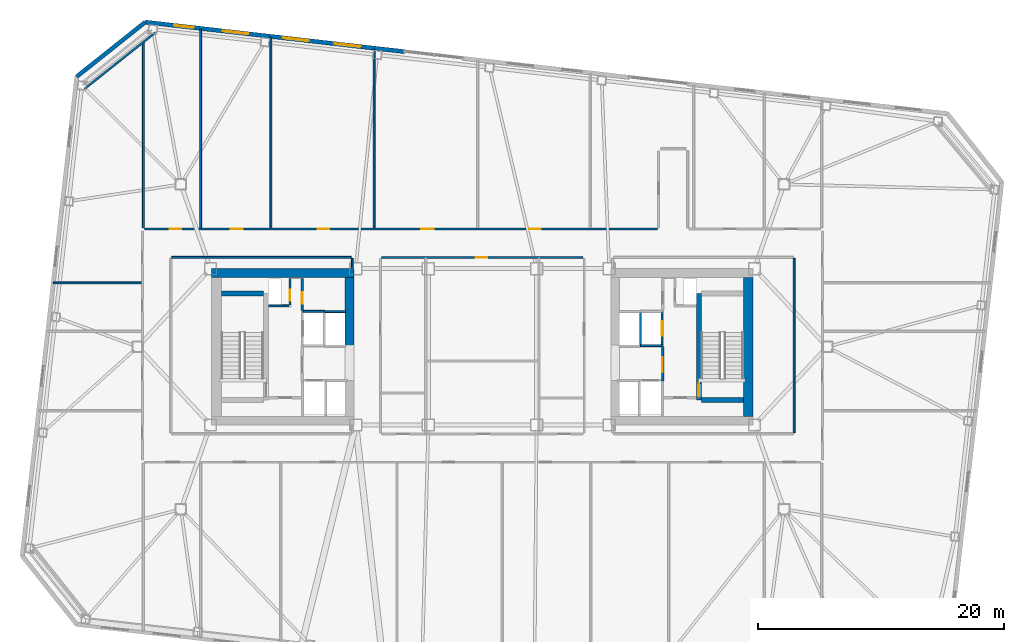
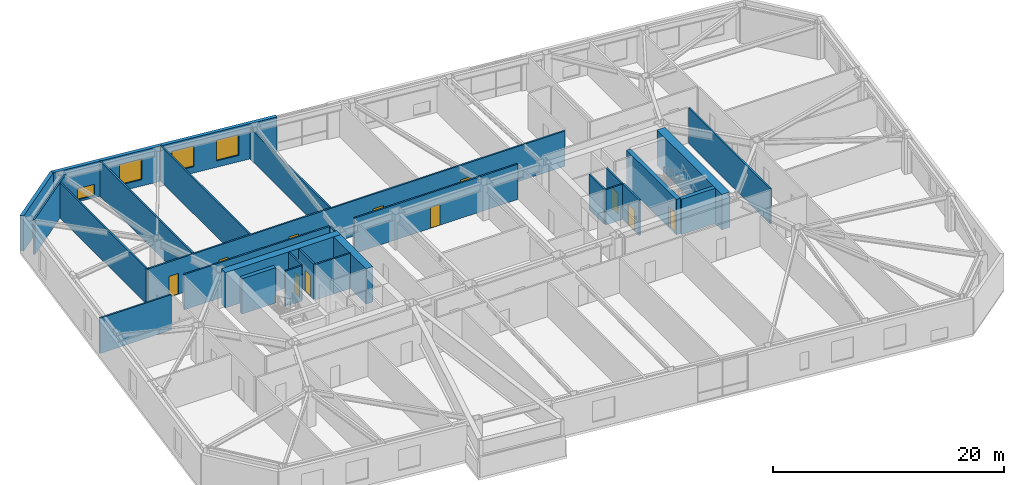
# One storey, part 12 of 19: 28 walls, 11 doors, 4 windows, 15 openings.
"""IFC4 building model written with IfcOpenShell, lengths in metres."""

import ifcopenshell
import ifcopenshell.guid

model = None  # the IFC model being written
_history = None  # IfcOwnerHistory: only IFC2X3 demands one
_inside = {}  # id of a spatial element -> (the spatial element, [elements in it])
_under = {}  # id of a project, library or spatial element -> (it, [spatial elements below it])
_declared = {}  # id of a project -> (the project, [libraries it declares])
_typed = {}  # id of a type object -> (the type object, [elements of that type])
_made_of = {}  # id of a material, layer set ... -> (it, [elements and type objects made of it])


def new_model(schema):
    """Start an empty IFC model of exactly this schema.

    Asked for "IFC4X3", IfcOpenShell would pick the latest addendum, in which some entities
    have other attributes; the version numbers below select the first issue.
    IFC2X3 requires an IfcOwnerHistory on every rooted entity: one is made here for all.
    """
    global model, _history
    if schema == "IFC4X3":
        model = ifcopenshell.file(schema_version=(4, 3, 0, 0))
    else:
        model = ifcopenshell.file(schema=schema)
    _inside.clear()
    _under.clear()
    _declared.clear()
    _typed.clear()
    _made_of.clear()
    _history = None
    if model.schema == "IFC2X3":
        org = make("IfcOrganization", Name="unknown")
        user = make(
            "IfcPersonAndOrganization",
            ThePerson=make("IfcPerson", FamilyName="unknown"),
            TheOrganization=org,
        )
        app = make(
            "IfcApplication",
            ApplicationDeveloper=org,
            Version="unknown",
            ApplicationFullName="unknown",
            ApplicationIdentifier="unknown",
        )
        _history = make(
            "IfcOwnerHistory",
            OwningUser=user,
            OwningApplication=app,
            ChangeAction="ADDED",
            CreationDate=0,
        )
    return model


def make(cls, **values):
    """One entity of the class cls with the attributes given. An attribute that is None is left unset."""
    return model.create_entity(
        cls, **{name: value for name, value in values.items() if value is not None}
    )


def rooted(cls, **values):
    """An entity with a GlobalId (a new one), such as an element, a storey or a relation."""
    return make(cls, GlobalId=ifcopenshell.guid.new(), OwnerHistory=_history, **values)


def si_unit(unit_type, name, prefix=None):
    """IfcSIUnit, for example si_unit("LENGTHUNIT", "METRE", prefix="MILLI")."""
    return make("IfcSIUnit", UnitType=unit_type, Prefix=prefix, Name=name)


def assignment(units):
    """IfcUnitAssignment: the units of a project."""
    return None if units is None else make("IfcUnitAssignment", Units=units)


def point(xyz):
    """IfcCartesianPoint."""
    return None if xyz is None else make("IfcCartesianPoint", Coordinates=xyz)


def direction(xyz):
    """IfcDirection."""
    return None if xyz is None else make("IfcDirection", DirectionRatios=xyz)


def frame(location, z_axis=None, x_axis=None):
    """IfcAxis2Placement3D, a coordinate frame: its origin and axes. An axis left out is left unset."""
    return make(
        "IfcAxis2Placement3D",
        Location=point(location),
        Axis=direction(z_axis),
        RefDirection=direction(x_axis),
    )


def frame_2d(location, x_axis=None):
    """IfcAxis2Placement2D, a coordinate frame in the plane: its origin and x axis."""
    return make(
        "IfcAxis2Placement2D", Location=point(location), RefDirection=direction(x_axis)
    )


def origin():
    """The frame at (0, 0, 0) with its axes left unset."""
    return frame((0.0, 0.0, 0.0))


def place(relative_to, where):
    """IfcLocalPlacement: puts the frame where relative to a parent placement (None: the world)."""
    return make(
        "IfcLocalPlacement", PlacementRelTo=relative_to, RelativePlacement=where
    )


def context(
    kind, dimensions, precision=None, world=None, true_north=None, identifier=None
):
    """IfcGeometricRepresentationContext, for example the 3D "Model" context."""
    return make(
        "IfcGeometricRepresentationContext",
        ContextIdentifier=identifier,
        ContextType=kind,
        CoordinateSpaceDimension=dimensions,
        Precision=precision,
        WorldCoordinateSystem=world,
        TrueNorth=true_north,
    )


def subcontext(parent, identifier, kind, view, scale=None):
    """IfcGeometricRepresentationSubContext, for example "Body" below "Model"."""
    return make(
        "IfcGeometricRepresentationSubContext",
        ContextIdentifier=identifier,
        ContextType=kind,
        ParentContext=parent,
        TargetScale=scale,
        TargetView=view,
    )


def project(units=None, contexts=None):
    """IfcProject with its units and contexts."""
    return rooted(
        "IfcProject",
        Name="project",
        RepresentationContexts=contexts,
        UnitsInContext=assignment(units),
    )


def spatial(cls, under=None, at=None, **own):
    """A site, building, storey or space (cls), placed at a placement, below another one or the project."""
    s = rooted(cls, ObjectPlacement=at, **own)
    if under is not None:
        _under.setdefault(under.id(), (under, []))[1].append(s)
    return s


def profile(cls, at=None, kind="AREA", **sizes):
    """A parametric profile (cls). Its sizes go by their IFC names, for example OverallWidth=200.0."""
    return make(cls, ProfileType=kind, Position=at, **sizes)


def rectangle(**sizes):
    """IfcRectangleProfileDef."""
    return profile("IfcRectangleProfileDef", **sizes)


def extrude(swept, where, along, depth):
    """IfcExtrudedAreaSolid: the profile swept, set in the frame where, extruded along a direction by depth."""
    return make(
        "IfcExtrudedAreaSolid",
        SweptArea=swept,
        Position=where,
        ExtrudedDirection=direction(along),
        Depth=depth,
    )


def shape(context_of_items, identifier, shape_type, items):
    """IfcShapeRepresentation: the items that make up one representation, for example the "Body"."""
    return make(
        "IfcShapeRepresentation",
        ContextOfItems=context_of_items,
        RepresentationIdentifier=identifier,
        RepresentationType=shape_type,
        Items=items,
    )


def material(Name=None, Category=None):
    """IfcMaterial."""
    return make("IfcMaterial", Name=Name, Category=Category)


def layer(
    of_material, thickness, ventilated=None, Name=None, Category=None, Priority=None
):
    """IfcMaterialLayer: one layer of a wall or slab, of a material (None: an air gap)."""
    return make(
        "IfcMaterialLayer",
        Material=of_material,
        LayerThickness=thickness,
        IsVentilated=ventilated,
        Name=Name,
        Category=Category,
        Priority=Priority,
    )


def layer_set(layers, Name=None):
    """IfcMaterialLayerSet."""
    return make("IfcMaterialLayerSet", MaterialLayers=layers, LayerSetName=Name)


def made_of(thing, what):
    """Note that an element or type object is made of a material, layer set ...; save() writes the relation."""
    if what is not None:
        _made_of.setdefault(what.id(), (what, []))[1].append(thing)
    return thing


def type_object(cls, material=None, **own):
    """A type object (cls), such as IfcWallType, which elements share."""
    return made_of(rooted(cls, **own), material)


def element(
    cls,
    number,
    at=None,
    inside=None,
    cuts=None,
    type_object=None,
    material=None,
    context=None,
    identifier="Body",
    shape_type=None,
    held_by="IfcProductDefinitionShape",
    body=None,
    shapes=None,
    **own,
):
    """One element of the class cls, such as IfcWall. Its Tag is "e" and its number.

    at: its placement. inside: the storey or other place that contains it. cuts: it is an
    opening in that element (IfcRelVoidsElement). A single representation is given by context,
    identifier, shape_type and body (its items); several are given by shapes. held_by: the class
    of the entity that holds the representations. save() writes the other relations.
    """
    e = rooted(cls, Tag="e%d" % number, ObjectPlacement=at, **own)
    if body is not None:
        shapes = [shape(context, identifier, shape_type, body)]
    if shapes is not None:
        e.Representation = make(held_by, Representations=shapes)
    if inside is not None:
        _inside.setdefault(inside.id(), (inside, []))[1].append(e)
    if cuts is not None:
        rooted(
            "IfcRelVoidsElement", RelatingBuildingElement=cuts, RelatedOpeningElement=e
        )
    if type_object is not None:
        _typed.setdefault(type_object.id(), (type_object, []))[1].append(e)
    return made_of(e, material)


def fill(opening, filler):
    """IfcRelFillsElement: the door or window that sits in an opening."""
    return rooted(
        "IfcRelFillsElement",
        RelatingOpeningElement=opening,
        RelatedBuildingElement=filler,
    )


def aggregate(whole, parts):
    """IfcRelAggregates: a whole, such as a stair, and the parts it consists of."""
    return rooted("IfcRelAggregates", RelatingObject=whole, RelatedObjects=parts)


def save(model, path):
    """Write the relations noted so far, then the file.

    IfcRelAggregates (storeys below a building ...), IfcRelContainedInSpatialStructure (elements
    in a storey), IfcRelDefinesByType, IfcRelAssociatesMaterial and IfcRelDeclares: one each for
    every whole, place, type object, material and project.
    """
    for whole, parts in _under.values():
        aggregate(whole, parts)
    for where, things in _inside.values():
        rooted(
            "IfcRelContainedInSpatialStructure",
            RelatedElements=things,
            RelatingStructure=where,
        )
    for kind, things in _typed.values():
        rooted("IfcRelDefinesByType", RelatedObjects=things, RelatingType=kind)
    for what, things in _made_of.values():
        rooted("IfcRelAssociatesMaterial", RelatedObjects=things, RelatingMaterial=what)
    for by, libraries in _declared.values():
        rooted("IfcRelDeclares", RelatingContext=by, RelatedDefinitions=libraries)
    model.write(path)


model = new_model("IFC4")

# Units and contexts
model_context = context("Model", 3, precision=1e-05, world=origin(), true_north=direction((0.0, 1.0)))
body_context = subcontext(model_context, "Body", "Model", "MODEL_VIEW")
ifc_project = project(units=[si_unit("LENGTHUNIT", "METRE"), si_unit("AREAUNIT", "SQUARE_METRE"), si_unit("VOLUMEUNIT", "CUBIC_METRE"), si_unit("PLANEANGLEUNIT", "RADIAN"), si_unit("MASSUNIT", "GRAM", prefix="KILO")], contexts=[model_context])

# Site, building, storey
site_placement = place(None, origin())
site = spatial("IfcSite", under=ifc_project, at=site_placement, CompositionType="ELEMENT")
building_placement = place(site_placement, origin())
building = spatial("IfcBuilding", under=site, at=building_placement, Name="Tavrogorsk Clinical Tower", CompositionType="ELEMENT")
storey_placement = place(building_placement, frame((0.0, 0.0, 97.39990234375)))
storey = spatial("IfcBuildingStorey", under=building, at=storey_placement, Name="L21", CompositionType="ELEMENT", Elevation=97.39990234375)

# Wall, opening, door
ifc_material_1 = material(Name="Concrete B60", Category="concrete")
ifc_layer_1 = layer(ifc_material_1, 0.199951171875)
ifc_layer_set_1 = layer_set([ifc_layer_1], Name="Concrete B60")
wall_type_1 = type_object("IfcWallType", Name="CoreFireWall_200", PredefinedType="SOLIDWALL", material=ifc_layer_set_1)
wall_1_placement = place(storey_placement, frame((-14.639892578125, 2.9599609375, 0.0), z_axis=(0.0, 0.0, 1.0), x_axis=(0.0, 1.0, 0.0)))
wall_1 = element("IfcWall", 1, at=wall_1_placement, inside=storey, type_object=wall_type_1, Name="L21 Core West North Core Room East Wall", PredefinedType="SOLIDWALL", context=body_context, shape_type="SweptSolid", body=[
    extrude(rectangle(XDim=2.60009765625, YDim=0.199951171875, at=frame_2d((1.300048828125, 0.0))), origin(), (0.0, 0.0, 1.0), 3.739990234375),
])
opening_1_placement = place(wall_1_placement, frame((0.52001953125, 0.0, 0.0)))
opening_1 = element("IfcOpeningElement", 2, at=opening_1_placement, cuts=wall_1, Name="Opening ID-02", PredefinedType="OPENING", context=body_context, shape_type="SweptSolid", body=[
    extrude(rectangle(XDim=0.949951171875, YDim=2.199951171875, at=frame_2d((0.47509765625, 1.10009765625))), frame((0.0, 0.10986328125, 0.0), z_axis=(0.0, -1.0, 0.0), x_axis=(1.0, 0.0, 0.0)), (0.0, 0.0, 1.0), 0.219970703125),
])
ifc_material_2 = material(Name="Laminated timber leaf on aluminium frame", Category="wood")
door_type_1 = type_object("IfcDoorType", Name="InteriorDoor_ID02_950", OperationType="NOTDEFINED", PredefinedType="DOOR", material=ifc_material_2)
door_1_placement = place(opening_1_placement, origin())
door_1 = element("IfcDoor", 3, at=door_1_placement, inside=storey, type_object=door_type_1, Name="L21 Core West Core Telemetry Room Door", OperationType="SINGLE_SWING_LEFT", OverallHeight=2.199951171875, OverallWidth=0.949951171875, PredefinedType="DOOR", context=body_context, shape_type="SweptSolid", body=[
    extrude(rectangle(XDim=0.949951171875, YDim=2.199951171875, at=frame_2d((0.47509765625, 1.10009765625))), frame((0.0, 0.02490234375, 0.0), z_axis=(0.0, -1.0, 0.0), x_axis=(1.0, 0.0, 0.0)), (0.0, 0.0, 1.0), 0.050048828125),
])
fill(opening_1, door_1)

wall_2_placement = place(storey_placement, frame((14.639892578125, -2.780029296875, 0.0), z_axis=(0.0, 0.0, 1.0), x_axis=(0.0, 1.0, 0.0)))
wall_2 = element("IfcWall", 4, at=wall_2_placement, inside=storey, type_object=wall_type_1, Name="L21 Core East Firefighting Lobby Fire Wall", PredefinedType="SOLIDWALL", context=body_context, shape_type="SweptSolid", body=[
    extrude(rectangle(XDim=2.820068359375, YDim=0.199951171875, at=frame_2d((1.41015625, 0.0))), origin(), (0.0, 0.0, 1.0), 3.739990234375),
])
opening_2_placement = place(wall_2_placement, frame((0.72998046875, 0.0, 0.0)))
opening_2 = element("IfcOpeningElement", 5, at=opening_2_placement, cuts=wall_2, Name="Opening FD-01", PredefinedType="OPENING", context=body_context, shape_type="SweptSolid", body=[
    extrude(rectangle(XDim=1.199951171875, YDim=2.199951171875, at=frame_2d((0.60009765625, 1.10009765625))), frame((0.0, 0.10986328125, 0.0), z_axis=(0.0, -1.0, 0.0), x_axis=(1.0, 0.0, 0.0)), (0.0, 0.0, 1.0), 0.219970703125),
])
ifc_material_3 = material(Name="Galvanised steel fire-rated door assembly", Category="steel")
door_type_2 = type_object("IfcDoorType", Name="FireDoor_FD01_1200", OperationType="NOTDEFINED", PredefinedType="DOOR", material=ifc_material_3)
door_2_placement = place(opening_2_placement, origin())
door_2 = element("IfcDoor", 6, at=door_2_placement, inside=storey, type_object=door_type_2, Name="L21 Core East Firefighting Lobby Entry Door", OperationType="SINGLE_SWING_RIGHT", OverallHeight=2.199951171875, OverallWidth=1.199951171875, PredefinedType="DOOR", context=body_context, shape_type="SweptSolid", body=[
    extrude(rectangle(XDim=1.199951171875, YDim=2.199951171875, at=frame_2d((0.60009765625, 1.10009765625))), frame((0.0, 0.02490234375, 0.0), z_axis=(0.0, -1.0, 0.0), x_axis=(1.0, 0.0, 0.0)), (0.0, 0.0, 1.0), 0.050048828125),
])
fill(opening_2, door_2)

# Wall
ifc_material_4 = material(Name="Lightweight concrete blockwork B15", Category="masonry")
ifc_layer_2 = layer(ifc_material_4, 0.159912109375)
ifc_layer_set_2 = layer_set([ifc_layer_2], Name="Lightweight concrete blockwork B15")
wall_type_2 = type_object("IfcWallType", Name="PartitionWall_160", PredefinedType="PARTITIONING", material=ifc_layer_set_2)
wall_3_placement = place(storey_placement, frame((-26.5712890625, 25.534912109375, 0.0), z_axis=(0.0, 0.0, 1.0), x_axis=(-0.782617962887, -0.622502308564, 0.0)))
element("IfcWall", 7, at=wall_3_placement, inside=storey, type_object=wall_type_2, Name="L21 Corner Exoskeleton Brace Furring Wall 3", PredefinedType="PARTITIONING", context=body_context, shape_type="SweptSolid", body=[
    extrude(rectangle(XDim=7.35400390625, YDim=0.159912109375, at=frame_2d((3.677001953125, 0.0))), origin(), (0.0, 0.0, 1.0), 3.739990234375),
])

# Wall, openings, doors
wall_4_placement = place(storey_placement, frame((-27.465087890625, 9.580078125, 0.0), z_axis=(0.0, 0.0, 1.0), x_axis=(1.0, 0.0, 0.0)))
wall_4 = element("IfcWall", 8, at=wall_4_placement, inside=storey, type_object=wall_type_2, Name="L21 Corridor Partition 02", PredefinedType="PARTITIONING", context=body_context, shape_type="SweptSolid", body=[
    extrude(rectangle(XDim=41.7001953125, YDim=0.159912109375, at=frame_2d((20.85009765625, 0.0))), origin(), (0.0, 0.0, 1.0), 3.739990234375),
])
opening_3_placement = place(wall_4_placement, frame((2.044189453125, 0.0, 0.0)))
opening_3 = element("IfcOpeningElement", 9, at=opening_3_placement, cuts=wall_4, Name="Opening ID-02", PredefinedType="OPENING", context=body_context, shape_type="SweptSolid", body=[
    extrude(rectangle(XDim=0.949951171875, YDim=2.199951171875, at=frame_2d((0.47509765625, 1.10009765625))), frame((0.0, 0.08984375, 0.0), z_axis=(0.0, -1.0, 0.0), x_axis=(1.0, 0.0, 0.0)), (0.0, 0.0, 1.0), 0.179931640625),
])
opening_4_placement = place(wall_4_placement, frame((7.02490234375, 0.0, 0.0)))
opening_4 = element("IfcOpeningElement", 10, at=opening_4_placement, cuts=wall_4, Name="Opening ID-02", PredefinedType="OPENING", context=body_context, shape_type="SweptSolid", body=[
    extrude(rectangle(XDim=0.949951171875, YDim=2.199951171875, at=frame_2d((0.47509765625, 1.10009765625))), frame((0.0, 0.08984375, 0.0), z_axis=(0.0, -1.0, 0.0), x_axis=(1.0, 0.0, 0.0)), (0.0, 0.0, 1.0), 0.179931640625),
])
opening_5_placement = place(wall_4_placement, frame((14.074951171875, 0.0, 0.0)))
opening_5 = element("IfcOpeningElement", 11, at=opening_5_placement, cuts=wall_4, Name="Opening ID-02", PredefinedType="OPENING", context=body_context, shape_type="SweptSolid", body=[
    extrude(rectangle(XDim=0.949951171875, YDim=2.199951171875, at=frame_2d((0.47509765625, 1.10009765625))), frame((0.0, 0.08984375, 0.0), z_axis=(0.0, -1.0, 0.0), x_axis=(1.0, 0.0, 0.0)), (0.0, 0.0, 1.0), 0.179931640625),
])
opening_6_placement = place(wall_4_placement, frame((22.47509765625, 0.0, 0.0)))
opening_6 = element("IfcOpeningElement", 12, at=opening_6_placement, cuts=wall_4, Name="Opening ID-04", PredefinedType="OPENING", context=body_context, shape_type="SweptSolid", body=[
    extrude(rectangle(XDim=1.050048828125, YDim=2.199951171875, at=frame_2d((0.52490234375, 1.10009765625))), frame((0.0, 0.08984375, 0.0), z_axis=(0.0, -1.0, 0.0), x_axis=(1.0, 0.0, 0.0)), (0.0, 0.0, 1.0), 0.179931640625),
])
opening_7_placement = place(wall_4_placement, frame((31.25, 0.0, 0.0)))
opening_7 = element("IfcOpeningElement", 13, at=opening_7_placement, cuts=wall_4, Name="Opening ID-02", PredefinedType="OPENING", context=body_context, shape_type="SweptSolid", body=[
    extrude(rectangle(XDim=0.949951171875, YDim=2.199951171875, at=frame_2d((0.47509765625, 1.10009765625))), frame((0.0, 0.08984375, 0.0), z_axis=(0.0, -1.0, 0.0), x_axis=(1.0, 0.0, 0.0)), (0.0, 0.0, 1.0), 0.179931640625),
])
ifc_material_5 = material(Name="Antibacterial HPL consultation door on aluminium frame", Category="aluminium")
door_type_3 = type_object("IfcDoorType", Name="ConsultDoor_ID04_1050", OperationType="NOTDEFINED", PredefinedType="DOOR", material=ifc_material_5)
door_3_placement = place(opening_6_placement, origin())
door_3 = element("IfcDoor", 14, at=door_3_placement, inside=storey, type_object=door_type_3, Name="L21 North Gastroenterology Academic Office 04 Door", OperationType="SINGLE_SWING_RIGHT", OverallHeight=2.199951171875, OverallWidth=1.050048828125, PredefinedType="DOOR", context=body_context, shape_type="SweptSolid", body=[
    extrude(rectangle(XDim=1.050048828125, YDim=2.199951171875, at=frame_2d((0.52490234375, 1.10009765625))), frame((0.0, 0.02490234375, 0.0), z_axis=(0.0, -1.0, 0.0), x_axis=(1.0, 0.0, 0.0)), (0.0, 0.0, 1.0), 0.050048828125),
])
fill(opening_6, door_3)
door_4_placement = place(opening_3_placement, origin())
door_4 = element("IfcDoor", 15, at=door_4_placement, inside=storey, type_object=door_type_1, Name="L21 North Scope Sterile Decontamination Utility 01 Door", OperationType="SINGLE_SWING_LEFT", OverallHeight=2.199951171875, OverallWidth=0.949951171875, PredefinedType="DOOR", context=body_context, shape_type="SweptSolid", body=[
    extrude(rectangle(XDim=0.949951171875, YDim=2.199951171875, at=frame_2d((0.47509765625, 1.10009765625))), frame((0.0, 0.02490234375, 0.0), z_axis=(0.0, -1.0, 0.0), x_axis=(1.0, 0.0, 0.0)), (0.0, 0.0, 1.0), 0.050048828125),
])
fill(opening_3, door_4)
door_5_placement = place(opening_4_placement, origin())
door_5 = element("IfcDoor", 16, at=door_5_placement, inside=storey, type_object=door_type_1, Name="L21 North Endoscopy & Bronchoscopy Procedure Room 02 Door", OperationType="SINGLE_SWING_RIGHT", OverallHeight=2.199951171875, OverallWidth=0.949951171875, PredefinedType="DOOR", context=body_context, shape_type="SweptSolid", body=[
    extrude(rectangle(XDim=0.949951171875, YDim=2.199951171875, at=frame_2d((0.47509765625, 1.10009765625))), frame((0.0, 0.02490234375, 0.0), z_axis=(0.0, -1.0, 0.0), x_axis=(1.0, 0.0, 0.0)), (0.0, 0.0, 1.0), 0.050048828125),
])
fill(opening_4, door_5)
door_6_placement = place(opening_5_placement, origin())
door_6 = element("IfcDoor", 17, at=door_6_placement, inside=storey, type_object=door_type_1, Name="L21 North Surgical Case Conference Hall 03 Door", OperationType="SINGLE_SWING_LEFT", OverallHeight=2.199951171875, OverallWidth=0.949951171875, PredefinedType="DOOR", context=body_context, shape_type="SweptSolid", body=[
    extrude(rectangle(XDim=0.949951171875, YDim=2.199951171875, at=frame_2d((0.47509765625, 1.10009765625))), frame((0.0, 0.02490234375, 0.0), z_axis=(0.0, -1.0, 0.0), x_axis=(1.0, 0.0, 0.0)), (0.0, 0.0, 1.0), 0.050048828125),
])
fill(opening_5, door_6)
door_7_placement = place(opening_7_placement, origin())
door_7 = element("IfcDoor", 18, at=door_7_placement, inside=storey, type_object=door_type_1, Name="L21 North Scope Sterile Decontamination Utility 05 Door", OperationType="SINGLE_SWING_LEFT", OverallHeight=2.199951171875, OverallWidth=0.949951171875, PredefinedType="DOOR", context=body_context, shape_type="SweptSolid", body=[
    extrude(rectangle(XDim=0.949951171875, YDim=2.199951171875, at=frame_2d((0.47509765625, 1.10009765625))), frame((0.0, 0.02490234375, 0.0), z_axis=(0.0, -1.0, 0.0), x_axis=(1.0, 0.0, 0.0)), (0.0, 0.0, 1.0), 0.050048828125),
])
fill(opening_7, door_7)

# Wall
wall_5_placement = place(storey_placement, frame((25.320068359375, -6.985107421875, 0.0), z_axis=(0.0, 0.0, 1.0), x_axis=(0.0, 1.0, 0.0)))
element("IfcWall", 19, at=wall_5_placement, inside=storey, type_object=wall_type_2, Name="L21 Corridor Partition 13", PredefinedType="PARTITIONING", context=body_context, shape_type="SweptSolid", body=[
    extrude(rectangle(XDim=14.170166015625, YDim=0.159912109375, at=frame_2d((7.0849609375, 0.0))), origin(), (0.0, 0.0, 1.0), 3.739990234375),
])

# Wall, opening, door
wall_6_placement = place(storey_placement, frame((8.18505859375, 7.27001953125, 0.0), z_axis=(0.0, 0.0, 1.0), x_axis=(-1.0, 0.0, 0.0)))
wall_6 = element("IfcWall", 20, at=wall_6_placement, inside=storey, type_object=wall_type_2, Name="L21 Corridor Partition 15", PredefinedType="PARTITIONING", context=body_context, shape_type="SweptSolid", body=[
    extrude(rectangle(XDim=16.3701171875, YDim=0.159912109375, at=frame_2d((8.18505859375, 0.0))), origin(), (0.0, 0.0, 1.0), 3.739990234375),
])
opening_8_placement = place(wall_6_placement, frame((7.794921875, 0.0, 0.0)))
opening_8 = element("IfcOpeningElement", 21, at=opening_8_placement, cuts=wall_6, Name="Opening ID-02", PredefinedType="OPENING", context=body_context, shape_type="SweptSolid", body=[
    extrude(rectangle(XDim=0.949951171875, YDim=2.199951171875, at=frame_2d((0.47509765625, 1.10009765625))), frame((0.0, 0.08984375, 0.0), z_axis=(0.0, -1.0, 0.0), x_axis=(1.0, 0.0, 0.0)), (0.0, 0.0, 1.0), 0.179931640625),
])
door_8_placement = place(opening_8_placement, origin())
door_8 = element("IfcDoor", 22, at=door_8_placement, inside=storey, type_object=door_type_1, Name="L21 Nurses' Station & Triage Hub Door", OperationType="SINGLE_SWING_RIGHT", OverallHeight=2.199951171875, OverallWidth=0.949951171875, PredefinedType="DOOR", context=body_context, shape_type="SweptSolid", body=[
    extrude(rectangle(XDim=0.949951171875, YDim=2.199951171875, at=frame_2d((0.47509765625, 1.10009765625))), frame((0.0, 0.02490234375, 0.0), z_axis=(0.0, -1.0, 0.0), x_axis=(1.0, 0.0, 0.0)), (0.0, 0.0, 1.0), 0.050048828125),
])
fill(opening_8, door_8)

# Walls
wall_7_placement = place(storey_placement, frame((-10.580078125, 6.419921875, 0.0), z_axis=(0.0, 0.0, 1.0), x_axis=(0.0, 1.0, 0.0)))
element("IfcWall", 23, at=wall_7_placement, inside=storey, type_object=wall_type_2, Name="L21 Corridor Partition 19", PredefinedType="PARTITIONING", context=body_context, shape_type="SweptSolid", body=[
    extrude(rectangle(XDim=0.76513671875, YDim=0.159912109375, at=frame_2d((0.382568359375, 0.0))), origin(), (0.0, 0.0, 1.0), 3.739990234375),
])
wall_8_placement = place(storey_placement, frame((-10.6650390625, 7.27001953125, 0.0), z_axis=(0.0, 0.0, 1.0), x_axis=(-1.0, 0.0, 0.0)))
element("IfcWall", 24, at=wall_8_placement, inside=storey, type_object=wall_type_2, Name="L21 Corridor Partition 20", PredefinedType="PARTITIONING", context=body_context, shape_type="SweptSolid", body=[
    extrude(rectangle(XDim=14.570068359375, YDim=0.159912109375, at=frame_2d((7.28515625, 0.0))), origin(), (0.0, 0.0, 1.0), 3.739990234375),
])
wall_9_placement = place(storey_placement, frame((-27.550048828125, 9.6650390625, 0.0), z_axis=(0.0, 0.0, 1.0), x_axis=(0.0, 1.0, 0.0)))
element("IfcWall", 25, at=wall_9_placement, inside=storey, type_object=wall_type_2, Name="L21 NW Wing Closure Partition", PredefinedType="PARTITIONING", context=body_context, shape_type="SweptSolid", body=[
    extrude(rectangle(XDim=15.108642578125, YDim=0.159912109375, at=frame_2d((7.55419921875, 0.0))), origin(), (0.0, 0.0, 1.0), 3.739990234375),
])
wall_10_placement = place(storey_placement, frame((-22.89990234375, 9.6650390625, 0.0), z_axis=(0.0, 0.0, 1.0), x_axis=(0.0, 1.0, 0.0)))
element("IfcWall", 26, at=wall_10_placement, inside=storey, type_object=wall_type_2, Name="L21 North Room Partition 1", PredefinedType="PARTITIONING", context=body_context, shape_type="SweptSolid", body=[
    extrude(rectangle(XDim=16.136474609375, YDim=0.159912109375, at=frame_2d((8.068359375, 0.0))), origin(), (0.0, 0.0, 1.0), 3.739990234375),
])
wall_11_placement = place(storey_placement, frame((-17.199951171875, 9.6650390625, 0.0), z_axis=(0.0, 0.0, 1.0), x_axis=(0.0, 1.0, 0.0)))
element("IfcWall", 27, at=wall_11_placement, inside=storey, type_object=wall_type_2, Name="L21 North Room Partition 2", PredefinedType="PARTITIONING", context=body_context, shape_type="SweptSolid", body=[
    extrude(rectangle(XDim=15.487060546875, YDim=0.159912109375, at=frame_2d((7.74365234375, 0.0))), origin(), (0.0, 0.0, 1.0), 3.739990234375),
])
wall_12_placement = place(storey_placement, frame((-8.800048828125, 9.6650390625, 0.0), z_axis=(0.0, 0.0, 1.0), x_axis=(0.0, 1.0, 0.0)))
element("IfcWall", 28, at=wall_12_placement, inside=storey, type_object=wall_type_2, Name="L21 North Room Partition 3", PredefinedType="PARTITIONING", context=body_context, shape_type="SweptSolid", body=[
    extrude(rectangle(XDim=14.530029296875, YDim=0.159912109375, at=frame_2d((7.26513671875, 0.0))), origin(), (0.0, 0.0, 1.0), 3.235107421875),
])
wall_13_placement = place(storey_placement, frame((-34.857177734375, 5.199951171875, 0.0), z_axis=(0.0, 0.0, 1.0), x_axis=(1.0, 0.0, 0.0)))
element("IfcWall", 29, at=wall_13_placement, inside=storey, type_object=wall_type_2, Name="L21 W Wing Divider 3", PredefinedType="PARTITIONING", context=body_context, shape_type="SweptSolid", body=[
    extrude(rectangle(XDim=7.14208984375, YDim=0.159912109375, at=frame_2d((3.571044921875, 0.0))), origin(), (0.0, 0.0, 1.0), 3.739990234375),
])

# Wall, openings, windows
ifc_material_6 = material(Name="Precast concrete B45 with limestone cladding", Category="masonry")
ifc_layer_3 = layer(ifc_material_6, 0.340087890625)
ifc_layer_set_3 = layer_set([ifc_layer_3], Name="Precast concrete B45 with limestone cladding")
wall_type_3 = type_object("IfcWallType", Name="PrecastLimestoneWall_340", PredefinedType="STANDARD", material=ifc_layer_set_3)
wall_14_placement = place(storey_placement, frame((-6.314453125, 23.982177734375, 0.0), z_axis=(0.0, 0.0, 1.0), x_axis=(-0.993571362037, 0.113207546299, 0.0)))
wall_14 = element("IfcWall", 30, at=wall_14_placement, inside=storey, type_object=wall_type_3, Name="L21 N Limestone Facade Wall 3", PredefinedType="STANDARD", context=body_context, shape_type="SweptSolid", body=[
    extrude(rectangle(XDim=21.222900390625, YDim=0.340087890625, at=frame_2d((10.611328125, 0.0))), origin(), (0.0, 0.0, 1.0), 3.739990234375),
])
opening_9_placement = place(wall_14_placement, frame((17.264892578125, 0.0, 0.219970703125)))
opening_9 = element("IfcOpeningElement", 31, at=opening_9_placement, cuts=wall_14, Name="Opening WN-09", PredefinedType="OPENING", context=body_context, shape_type="SweptSolid", body=[
    extrude(rectangle(XDim=1.60009765625, YDim=1.199951171875, at=frame_2d((0.800048828125, 0.60009765625))), frame((0.0, 0.179931640625, 0.0), z_axis=(0.0, -1.0, 0.0), x_axis=(1.0, 0.0, 0.0)), (0.0, 0.0, 1.0), 0.360107421875),
])
opening_10_placement = place(wall_14_placement, frame((12.793701171875, 0.0, 0.669921875)))
opening_10 = element("IfcOpeningElement", 32, at=opening_10_placement, cuts=wall_14, Name="Opening WN-03", PredefinedType="OPENING", context=body_context, shape_type="SweptSolid", body=[
    extrude(rectangle(XDim=2.10009765625, YDim=2.199951171875, at=frame_2d((1.050048828125, 1.10009765625))), frame((0.0, 0.179931640625, 0.0), z_axis=(0.0, -1.0, 0.0), x_axis=(1.0, 0.0, 0.0)), (0.0, 0.0, 1.0), 0.360107421875),
])
opening_11_placement = place(wall_14_placement, frame((7.837890625, 0.0, 0.669921875)))
opening_11 = element("IfcOpeningElement", 33, at=opening_11_placement, cuts=wall_14, Name="Opening WN-03", PredefinedType="OPENING", context=body_context, shape_type="SweptSolid", body=[
    extrude(rectangle(XDim=2.10009765625, YDim=2.199951171875, at=frame_2d((1.050048828125, 1.10009765625))), frame((0.0, 0.179931640625, 0.0), z_axis=(0.0, -1.0, 0.0), x_axis=(1.0, 0.0, 0.0)), (0.0, 0.0, 1.0), 0.360107421875),
])
opening_12_placement = place(wall_14_placement, frame((3.616455078125, 0.0, 0.669921875)))
opening_12 = element("IfcOpeningElement", 34, at=opening_12_placement, cuts=wall_14, Name="Opening WN-03", PredefinedType="OPENING", context=body_context, shape_type="SweptSolid", body=[
    extrude(rectangle(XDim=2.10009765625, YDim=2.199951171875, at=frame_2d((1.050048828125, 1.10009765625))), frame((0.0, 0.179931640625, 0.0), z_axis=(0.0, -1.0, 0.0), x_axis=(1.0, 0.0, 0.0)), (0.0, 0.0, 1.0), 0.360107421875),
])
ifc_material_7 = material(Name="Thermally broken aluminium frame and triple IGU", Category="aluminium")
window_type_1 = type_object("IfcWindowType", Name="LowHeadTransWin_1600x1200", PartitioningType="DOUBLE_PANEL_VERTICAL", PredefinedType="WINDOW", material=ifc_material_7)
window_1_placement = place(opening_9_placement, origin())
window_1 = element("IfcWindow", 35, at=window_1_placement, inside=storey, type_object=window_type_1, Name="L21 N Chicago Window 01", OverallHeight=1.199951171875, OverallWidth=1.60009765625, PartitioningType="SINGLE_PANEL", PredefinedType="WINDOW", context=body_context, shape_type="SweptSolid", body=[
    extrude(rectangle(XDim=1.60009765625, YDim=1.199951171875, at=frame_2d((0.800048828125, 0.60009765625))), frame((0.0, 0.030029296875, 0.0), z_axis=(0.0, -1.0, 0.0), x_axis=(1.0, 0.0, 0.0)), (0.0, 0.0, 1.0), 0.06005859375),
])
fill(opening_9, window_1)
ifc_material_8 = material(Name="Thermally broken aluminium frame and triple IGU", Category="aluminium")
window_type_2 = type_object("IfcWindowType", Name="PatientTwinWin_2100x2200", PartitioningType="DOUBLE_PANEL_VERTICAL", PredefinedType="WINDOW", material=ifc_material_8)
window_2_placement = place(opening_10_placement, origin())
window_2 = element("IfcWindow", 36, at=window_2_placement, inside=storey, type_object=window_type_2, Name="L21 N Chicago Window 02", OverallHeight=2.199951171875, OverallWidth=2.10009765625, PartitioningType="SINGLE_PANEL", PredefinedType="WINDOW", context=body_context, shape_type="SweptSolid", body=[
    extrude(rectangle(XDim=2.10009765625, YDim=2.199951171875, at=frame_2d((1.050048828125, 1.10009765625))), frame((0.0, 0.030029296875, 0.0), z_axis=(0.0, -1.0, 0.0), x_axis=(1.0, 0.0, 0.0)), (0.0, 0.0, 1.0), 0.06005859375),
])
fill(opening_10, window_2)
window_3_placement = place(opening_11_placement, origin())
window_3 = element("IfcWindow", 37, at=window_3_placement, inside=storey, type_object=window_type_2, Name="L21 N Chicago Window 03", OverallHeight=2.199951171875, OverallWidth=2.10009765625, PartitioningType="SINGLE_PANEL", PredefinedType="WINDOW", context=body_context, shape_type="SweptSolid", body=[
    extrude(rectangle(XDim=2.10009765625, YDim=2.199951171875, at=frame_2d((1.050048828125, 1.10009765625))), frame((0.0, 0.030029296875, 0.0), z_axis=(0.0, -1.0, 0.0), x_axis=(1.0, 0.0, 0.0)), (0.0, 0.0, 1.0), 0.06005859375),
])
fill(opening_11, window_3)
window_4_placement = place(opening_12_placement, origin())
window_4 = element("IfcWindow", 38, at=window_4_placement, inside=storey, type_object=window_type_2, Name="L21 N Chicago Window 04", OverallHeight=2.199951171875, OverallWidth=2.10009765625, PartitioningType="SINGLE_PANEL", PredefinedType="WINDOW", context=body_context, shape_type="SweptSolid", body=[
    extrude(rectangle(XDim=2.10009765625, YDim=2.199951171875, at=frame_2d((1.050048828125, 1.10009765625))), frame((0.0, 0.030029296875, 0.0), z_axis=(0.0, -1.0, 0.0), x_axis=(1.0, 0.0, 0.0)), (0.0, 0.0, 1.0), 0.06005859375),
])
fill(opening_12, window_4)

# Walls
wall_15_placement = place(storey_placement, frame((-27.40087890625, 26.384765625, 0.0), z_axis=(0.0, 0.0, 1.0), x_axis=(-0.78261359446, -0.622507800567, 0.0)))
element("IfcWall", 39, at=wall_15_placement, inside=storey, type_object=wall_type_3, Name="L21 Chamfered Corner Wall 3", PredefinedType="STANDARD", context=body_context, shape_type="SweptSolid", body=[
    extrude(rectangle(XDim=7.113525390625, YDim=0.340087890625, at=frame_2d((3.556640625, 0.0))), origin(), (0.0, 0.0, 1.0), 3.739990234375),
])
ifc_material_9 = material(Name="Lightweight concrete blockwork B25", Category="masonry")
ifc_layer_4 = layer(ifc_material_9, 0.159912109375)
ifc_layer_set_4 = layer_set([ifc_layer_4], Name="Lightweight concrete blockwork B25")
wall_type_4 = type_object("IfcWallType", Name="ShaftWall_160", PredefinedType="PARTITIONING", material=ifc_layer_set_4)
wall_16_placement = place(storey_placement, frame((-14.60009765625, 2.8798828125, 0.0), z_axis=(0.0, 0.0, 1.0), x_axis=(1.0, 0.0, 0.0)))
element("IfcWall", 40, at=wall_16_placement, inside=storey, type_object=wall_type_4, Name="L21 FFL-W Shaft North Wall", PredefinedType="PARTITIONING", context=body_context, shape_type="SweptSolid", body=[
    extrude(rectangle(XDim=1.760009765625, YDim=0.159912109375, at=frame_2d((0.8798828125, 0.0))), origin(), (0.0, 0.0, 1.0), 3.739990234375),
])
wall_17_placement = place(storey_placement, frame((-12.820068359375, 2.860107421875, 0.0), z_axis=(0.0, 0.0, 1.0), x_axis=(1.0, 0.0, 0.0)))
element("IfcWall", 41, at=wall_17_placement, inside=storey, type_object=wall_type_4, Name="L21 LP-H1 High-Zone Lift Rear Wall", PredefinedType="PARTITIONING", context=body_context, shape_type="SweptSolid", body=[
    extrude(rectangle(XDim=1.719970703125, YDim=0.159912109375, at=frame_2d((0.85986328125, 0.0))), origin(), (0.0, 0.0, 1.0), 3.739990234375),
])

# Wall, opening, door
wall_18_placement = place(storey_placement, frame((14.60009765625, 0.1201171875, 0.0), z_axis=(0.0, 0.0, 1.0), x_axis=(0.0, 1.0, 0.0)))
wall_18 = element("IfcWall", 42, at=wall_18_placement, inside=storey, type_object=wall_type_4, Name="L21 FFL-E Firefighting Lift Front Wall", PredefinedType="PARTITIONING", context=body_context, shape_type="SweptSolid", body=[
    extrude(rectangle(XDim=2.739990234375, YDim=0.159912109375, at=frame_2d((1.3701171875, 0.0))), origin(), (0.0, 0.0, 1.0), 3.739990234375),
])
opening_13_placement = place(wall_18_placement, frame((0.77001953125, 0.0, 0.0)))
opening_13 = element("IfcOpeningElement", 43, at=opening_13_placement, cuts=wall_18, Name="Opening LD", PredefinedType="OPENING", context=body_context, shape_type="SweptSolid", body=[
    extrude(rectangle(XDim=1.199951171875, YDim=2.199951171875, at=frame_2d((0.60009765625, 1.10009765625))), frame((0.0, 0.08984375, 0.0), z_axis=(0.0, -1.0, 0.0), x_axis=(1.0, 0.0, 0.0)), (0.0, 0.0, 1.0), 0.179931640625),
])
ifc_material_10 = material(Name="Brushed stainless steel AISI 304 sliding doors", Category="steel")
door_type_4 = type_object("IfcDoorType", Name="LiftLandingDoor_LD_1200", OperationType="SLIDING_TO_LEFT", PredefinedType="DOOR", material=ifc_material_10)
door_9_placement = place(opening_13_placement, origin())
door_9 = element("IfcDoor", 44, at=door_9_placement, inside=storey, type_object=door_type_4, Name="L21 FFL-E Sliding Lift Landing Door", OperationType="SLIDING_TO_LEFT", OverallHeight=2.199951171875, OverallWidth=1.199951171875, PredefinedType="DOOR", context=body_context, shape_type="SweptSolid", body=[
    extrude(rectangle(XDim=1.199951171875, YDim=2.199951171875, at=frame_2d((0.60009765625, 1.10009765625))), frame((0.0, 0.02490234375, 0.0), z_axis=(0.0, -1.0, 0.0), x_axis=(1.0, 0.0, 0.0)), (0.0, 0.0, 1.0), 0.050048828125),
])
fill(opening_13, door_9)

# Walls
wall_19_placement = place(storey_placement, frame((12.840087890625, 0.10009765625, 0.0), z_axis=(0.0, 0.0, 1.0), x_axis=(1.0, 0.0, 0.0)))
element("IfcWall", 45, at=wall_19_placement, inside=storey, type_object=wall_type_4, Name="L21 FFL-E Shaft South Wall", PredefinedType="PARTITIONING", context=body_context, shape_type="SweptSolid", body=[
    extrude(rectangle(XDim=1.760009765625, YDim=0.159912109375, at=frame_2d((0.8798828125, 0.0))), origin(), (0.0, 0.0, 1.0), 3.739990234375),
])
wall_20_placement = place(storey_placement, frame((12.840087890625, 0.179931640625, 0.0), z_axis=(0.0, 0.0, 1.0), x_axis=(0.0, 1.0, 0.0)))
element("IfcWall", 46, at=wall_20_placement, inside=storey, type_object=wall_type_4, Name="L21 FFL-E Shaft Back Wall", PredefinedType="PARTITIONING", context=body_context, shape_type="SweptSolid", body=[
    extrude(rectangle(XDim=2.6201171875, YDim=0.159912109375, at=frame_2d((1.31005859375, 0.0))), origin(), (0.0, 0.0, 1.0), 3.739990234375),
])

# Wall, opening, door
wall_21_placement = place(storey_placement, frame((-15.639892578125, 3.405029296875, 0.0), z_axis=(0.0, 0.0, 1.0), x_axis=(0.0, 1.0, 0.0)))
wall_21 = element("IfcWall", 47, at=wall_21_placement, inside=storey, type_object=wall_type_4, Name="L21 Core West Riser West Wall", PredefinedType="PARTITIONING", context=body_context, shape_type="SweptSolid", body=[
    extrude(rectangle(XDim=2.155029296875, YDim=0.159912109375, at=frame_2d((1.07763671875, 0.0))), origin(), (0.0, 0.0, 1.0), 3.739990234375),
])
opening_14_placement = place(wall_21_placement, frame((0.35009765625, 0.0, 0.0)))
opening_14 = element("IfcOpeningElement", 48, at=opening_14_placement, cuts=wall_21, Name="Opening FD-02", PredefinedType="OPENING", context=body_context, shape_type="SweptSolid", body=[
    extrude(rectangle(XDim=0.89990234375, YDim=2.199951171875, at=frame_2d((0.449951171875, 1.10009765625))), frame((0.0, 0.08984375, 0.0), z_axis=(0.0, -1.0, 0.0), x_axis=(1.0, 0.0, 0.0)), (0.0, 0.0, 1.0), 0.179931640625),
])
ifc_material_11 = material(Name="Galvanised steel fire-rated door assembly", Category="steel")
door_type_5 = type_object("IfcDoorType", Name="FireDoor_FD02_900", OperationType="NOTDEFINED", PredefinedType="DOOR", material=ifc_material_11)
door_10_placement = place(opening_14_placement, origin())
door_10 = element("IfcDoor", 49, at=door_10_placement, inside=storey, type_object=door_type_5, Name="L21 Core West Electrical Riser Access Door", OperationType="SINGLE_SWING_LEFT", OverallHeight=2.199951171875, OverallWidth=0.89990234375, PredefinedType="DOOR", context=body_context, shape_type="SweptSolid", body=[
    extrude(rectangle(XDim=0.89990234375, YDim=2.199951171875, at=frame_2d((0.449951171875, 1.10009765625))), frame((0.0, 0.02490234375, 0.0), z_axis=(0.0, -1.0, 0.0), x_axis=(1.0, 0.0, 0.0)), (0.0, 0.0, 1.0), 0.050048828125),
])
fill(opening_14, door_10)

# Walls
wall_22_placement = place(storey_placement, frame((-17.3798828125, 3.320068359375, 0.0), z_axis=(0.0, 0.0, 1.0), x_axis=(1.0, 0.0, 0.0)))
element("IfcWall", 50, at=wall_22_placement, inside=storey, type_object=wall_type_4, Name="L21 Core West Riser South Wall", PredefinedType="PARTITIONING", context=body_context, shape_type="SweptSolid", body=[
    extrude(rectangle(XDim=1.65478515625, YDim=0.159912109375, at=frame_2d((0.827392578125, 0.0))), origin(), (0.0, 0.0, 1.0), 3.739990234375),
])
ifc_material_12 = material(Name="Concrete B80", Category="concrete")
ifc_layer_5 = layer(ifc_material_12, 0.39990234375)
ifc_layer_set_5 = layer_set([ifc_layer_5], Name="Concrete B80")
wall_type_5 = type_object("IfcWallType", Name="ShearWall_400", PredefinedType="SHEAR", material=ifc_layer_set_5)
wall_23_placement = place(storey_placement, frame((-21.199951171875, 4.324951171875, 0.0), z_axis=(0.0, 0.0, 1.0), x_axis=(1.0, 0.0, 0.0)))
element("IfcWall", 51, at=wall_23_placement, inside=storey, type_object=wall_type_5, Name="L21 Core West Stair Shaft North Shear Wall", PredefinedType="SHEAR", context=body_context, shape_type="SweptSolid", body=[
    extrude(rectangle(XDim=3.39990234375, YDim=0.39990234375, at=frame_2d((1.699951171875, 0.0))), origin(), (0.0, 0.0, 1.0), 3.739990234375),
])

# Wall, opening, door
wall_24_placement = place(storey_placement, frame((17.60009765625, -4.324951171875, 0.0), z_axis=(0.0, 0.0, 1.0), x_axis=(0.0, 1.0, 0.0)))
wall_24 = element("IfcWall", 52, at=wall_24_placement, inside=storey, type_object=wall_type_5, Name="L21 Core East Stair Shaft Inner Shear Wall", PredefinedType="SHEAR", context=body_context, shape_type="SweptSolid", body=[
    extrude(rectangle(XDim=8.64990234375, YDim=0.39990234375, at=frame_2d((4.324951171875, 0.0))), origin(), (0.0, 0.0, 1.0), 3.739990234375),
])
opening_15_placement = place(wall_24_placement, frame((0.25, 0.0, 0.0)))
opening_15 = element("IfcOpeningElement", 53, at=opening_15_placement, cuts=wall_24, Name="Opening SD-01", PredefinedType="OPENING", context=body_context, shape_type="SweptSolid", body=[
    extrude(rectangle(XDim=1.10009765625, YDim=2.199951171875, at=frame_2d((0.550048828125, 1.10009765625))), frame((0.0, 0.2099609375, 0.0), z_axis=(0.0, -1.0, 0.0), x_axis=(1.0, 0.0, 0.0)), (0.0, 0.0, 1.0), 0.419921875),
])
ifc_material_13 = material(Name="Galvanised steel smoke-tight fire door assembly", Category="steel")
door_type_6 = type_object("IfcDoorType", Name="StairFireDoor_SD01_1100", OperationType="NOTDEFINED", PredefinedType="DOOR", material=ifc_material_13)
door_11_placement = place(opening_15_placement, origin())
door_11 = element("IfcDoor", 54, at=door_11_placement, inside=storey, type_object=door_type_6, Name="L21 ST-E Exit Stair Door", OperationType="SINGLE_SWING_LEFT", OverallHeight=2.199951171875, OverallWidth=1.10009765625, PredefinedType="DOOR", context=body_context, shape_type="SweptSolid", body=[
    extrude(rectangle(XDim=1.10009765625, YDim=2.199951171875, at=frame_2d((0.550048828125, 1.10009765625))), frame((0.0, 0.02490234375, 0.0), z_axis=(0.0, -1.0, 0.0), x_axis=(1.0, 0.0, 0.0)), (0.0, 0.0, 1.0), 0.050048828125),
])
fill(opening_15, door_11)

# Walls
wall_25_placement = place(storey_placement, frame((17.800048828125, -4.324951171875, 0.0), z_axis=(0.0, 0.0, 1.0), x_axis=(1.0, 0.0, 0.0)))
element("IfcWall", 55, at=wall_25_placement, inside=storey, type_object=wall_type_5, Name="L21 Core East Stair Shaft South Shear Wall", PredefinedType="SHEAR", context=body_context, shape_type="SweptSolid", body=[
    extrude(rectangle(XDim=3.39990234375, YDim=0.39990234375, at=frame_2d((1.699951171875, 0.0))), origin(), (0.0, 0.0, 1.0), 3.739990234375),
])
ifc_material_14 = material(Name="Concrete B80", Category="concrete")
ifc_layer_6 = layer(ifc_material_14, 0.699951171875)
ifc_layer_set_6 = layer_set([ifc_layer_6], Name="Concrete B80")
wall_type_6 = type_object("IfcWallType", Name="ShearWall_700", PredefinedType="SHEAR", material=ifc_layer_set_6)
wall_26_placement = place(storey_placement, frame((-22.0, 6.0, 0.0), z_axis=(0.0, 0.0, 1.0), x_axis=(1.0, 0.0, 0.0)))
element("IfcWall", 56, at=wall_26_placement, inside=storey, type_object=wall_type_6, Name="L21 Core West North Shear Wall", PredefinedType="SHEAR", context=body_context, shape_type="SweptSolid", body=[
    extrude(rectangle(XDim=11.550048828125, YDim=0.699951171875, at=frame_2d((5.77490234375, 0.0))), origin(), (0.0, 0.0, 1.0), 3.739990234375),
])
wall_27_placement = place(storey_placement, frame((-10.800048828125, 0.050048828125, 0.0), z_axis=(0.0, 0.0, 1.0), x_axis=(0.0, 1.0, 0.0)))
element("IfcWall", 57, at=wall_27_placement, inside=storey, type_object=wall_type_6, Name="L21 Core West Inner North Pier", PredefinedType="SHEAR", context=body_context, shape_type="SweptSolid", body=[
    extrude(rectangle(XDim=5.599853515625, YDim=0.699951171875, at=frame_2d((2.7998046875, 0.0))), origin(), (0.0, 0.0, 1.0), 3.739990234375),
])
ifc_material_15 = material(Name="Concrete B80", Category="concrete")
ifc_layer_7 = layer(ifc_material_15, 0.800048828125)
ifc_layer_set_7 = layer_set([ifc_layer_7], Name="Concrete B80")
wall_type_7 = type_object("IfcWallType", Name="ShearWall_800", PredefinedType="SHEAR", material=ifc_layer_set_7)
wall_28_placement = place(storey_placement, frame((21.60009765625, -5.64990234375, 0.0), z_axis=(0.0, 0.0, 1.0), x_axis=(0.0, 1.0, 0.0)))
element("IfcWall", 58, at=wall_28_placement, inside=storey, type_object=wall_type_7, Name="L21 Core East End Shear Wall", PredefinedType="SHEAR", context=body_context, shape_type="SweptSolid", body=[
    extrude(rectangle(XDim=11.2998046875, YDim=0.800048828125, at=frame_2d((5.64990234375, 0.0))), origin(), (0.0, 0.0, 1.0), 3.739990234375),
])

save(model, "model.ifc")
